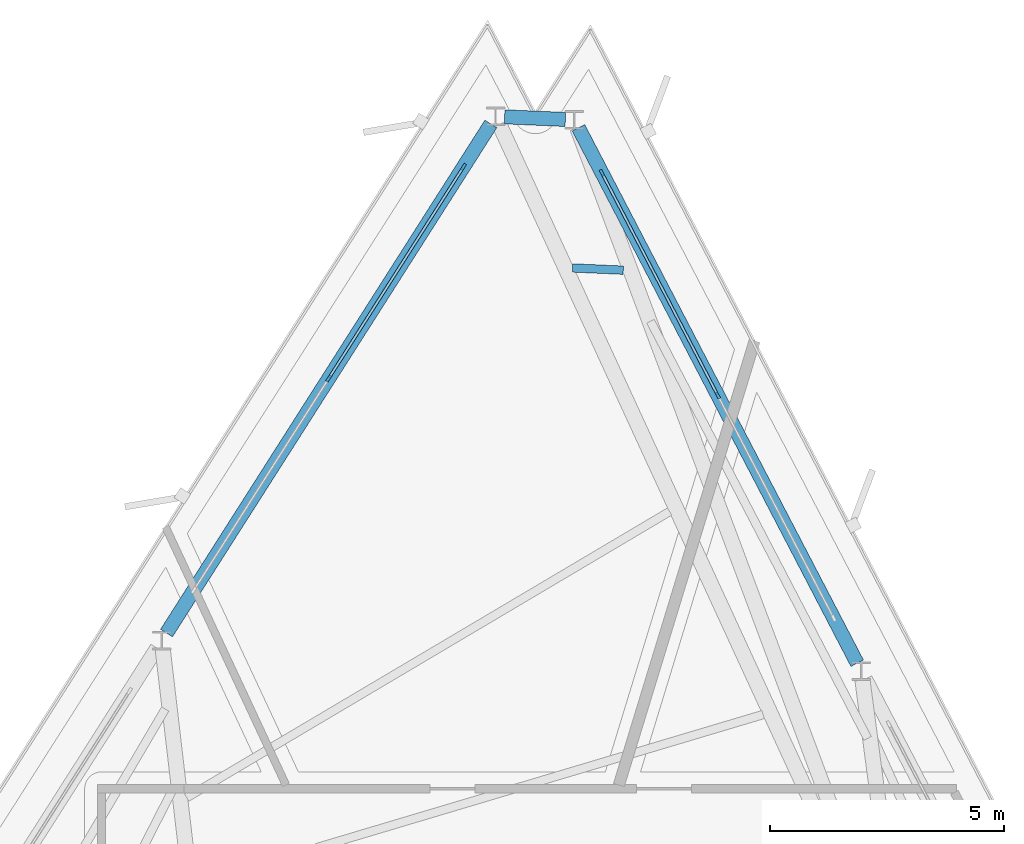
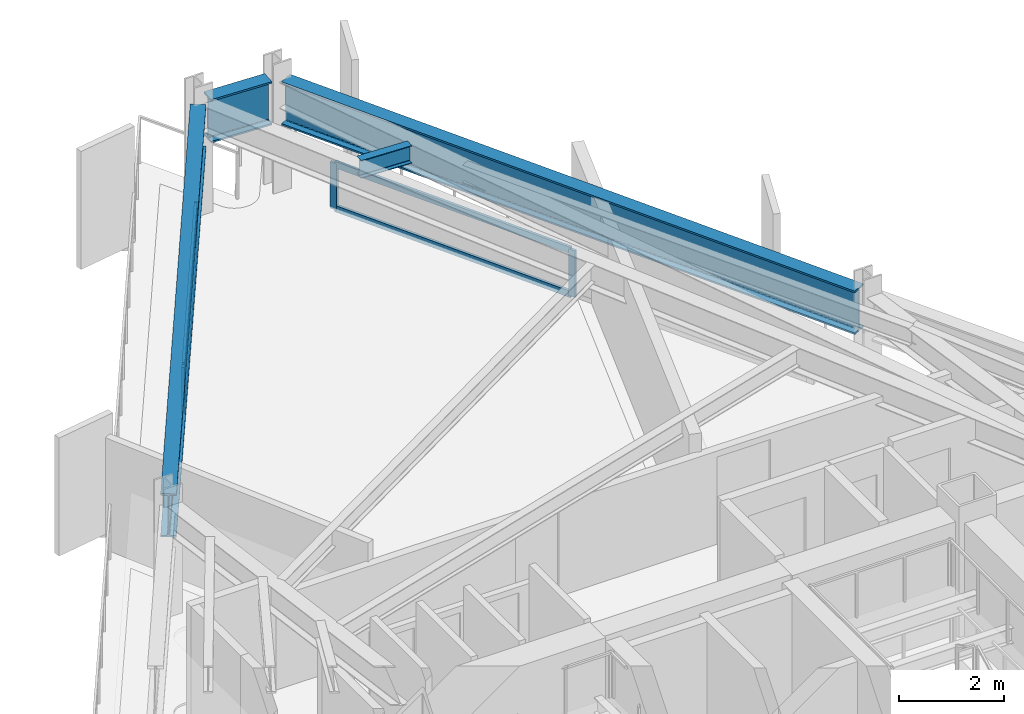
# One storey, part 6 of 12: 8 members, 4 beams, 2 elements without a shape of their own.
"""IFC4 building model written with IfcOpenShell, lengths in metres."""

from ifc_helpers import new_model, si_unit, direction, frame, origin, origin_2d, place, context, subcontext, project, spatial, rectangle, i_section, extrude, material, layer, layer_set, material_profile, profile_set, type_object, element, aggregate, save


model = new_model("IFC4")

# Units and contexts
model_context = context("Model", 3, precision=1e-05, world=origin(), true_north=direction((0.0, 1.0)))
body_context = subcontext(model_context, "Body", "Model", "MODEL_VIEW")
ifc_project = project(units=[si_unit("LENGTHUNIT", "METRE"), si_unit("AREAUNIT", "SQUARE_METRE"), si_unit("VOLUMEUNIT", "CUBIC_METRE"), si_unit("PLANEANGLEUNIT", "RADIAN"), si_unit("MASSUNIT", "GRAM", prefix="KILO")], contexts=[model_context])

# Site, building, storey
site_placement = place(None, origin())
site = spatial("IfcSite", under=ifc_project, at=site_placement, CompositionType="ELEMENT")
building_placement = place(site_placement, origin())
building = spatial("IfcBuilding", under=site, at=building_placement, Name="Rocaltana Carrier Exchange", CompositionType="ELEMENT")
storey_placement = place(building_placement, frame((0.0, 0.0, 144.159912109375)))
storey = spatial("IfcBuildingStorey", under=building, at=storey_placement, Name="L45", CompositionType="ELEMENT", Elevation=144.159912109375)

# Curtain wall, members
ifc_material_1 = material(Name="Aluminium 6063-T6", Category="aluminium")
ifc_layer = layer(ifc_material_1, 0.14990234375)
ifc_layer_set = layer_set([ifc_layer], Name="Aluminium 6063-T6")
curtain_wall_type = type_object("IfcCurtainWallType", Name="Mid-Tower Unitised Curtain Wall CW-03", PredefinedType="NOTDEFINED", material=ifc_layer_set)
curtain_wall_1_placement = place(storey_placement, origin())
curtain_wall_1 = element("IfcCurtainWall", 1, at=curtain_wall_1_placement, inside=storey, type_object=curtain_wall_type, Name="L45 CW-03 Run CW-L45-F1S3", PredefinedType="NOTDEFINED")
ifc_material_2 = material(Name="Aluminium 6063-T6", Category="aluminium")
ifc_material_profile_1 = material_profile(ifc_material_2, rectangle(XDim=0.06005859375, YDim=0.14990234375, at=origin_2d()), Name="AL-60X150")
ifc_profile_set_1 = profile_set([ifc_material_profile_1], Name="Aluminium 6063-T6")
member_type_1 = type_object("IfcMemberType", Name="CW-03 Mullion AL-60X150", PredefinedType="MULLION", material=ifc_profile_set_1)
member_1_placement = place(storey_placement, frame((4.938232421875, 17.56494140625, 0.0), z_axis=(0.0, 0.0, 1.0), x_axis=(-0.887007955385, -0.461754141383, 0.0)))
member_1 = element("IfcMember", 2, at=member_1_placement, type_object=member_type_1, Name="CW-03 mullion 2", PredefinedType="MULLION", context=body_context, shape_type="SweptSolid", body=[
    extrude(rectangle(XDim=0.06005859375, YDim=0.14990234375, at=origin_2d()), origin(), (0.0, 0.0, 1.0), 1.078125),
])
member_2_placement = place(storey_placement, frame((2.458740234375, 22.328125, 0.0), z_axis=(0.0, 0.0, 1.0), x_axis=(-0.887007955385, -0.461754141383, 0.0)))
member_2 = element("IfcMember", 3, at=member_2_placement, type_object=member_type_1, Name="CW-03 mullion 3", PredefinedType="MULLION", context=body_context, shape_type="SweptSolid", body=[
    extrude(rectangle(XDim=0.06005859375, YDim=0.14990234375, at=origin_2d()), origin(), (0.0, 0.0, 1.0), 1.078125),
])

curtain_wall_2_placement = place(storey_placement, origin())
curtain_wall_2 = element("IfcCurtainWall", 4, at=curtain_wall_2_placement, inside=storey, type_object=curtain_wall_type, Name="L45 CW-03 Run CW-L45-F2S1", PredefinedType="NOTDEFINED")
member_3_placement = place(storey_placement, frame((-0.50341796875, 22.45751953125, 0.0), z_axis=(0.0, 0.0, 1.0), x_axis=(0.843390685726, -0.537300801443, 0.0)))
member_3 = element("IfcMember", 5, at=member_3_placement, type_object=member_type_1, Name="CW-03 mullion 1", PredefinedType="MULLION", context=body_context, shape_type="SweptSolid", body=[
    extrude(rectangle(XDim=0.06005859375, YDim=0.14990234375, at=origin_2d()), origin(), (0.0, 0.0, 1.0), 1.078125),
])
member_4_placement = place(storey_placement, frame((-3.388671875, 17.928466796875, 0.0), z_axis=(0.0, 0.0, 1.0), x_axis=(0.843390685726, -0.537300801443, 0.0)))
member_4 = element("IfcMember", 6, at=member_4_placement, type_object=member_type_1, Name="CW-03 mullion 2", PredefinedType="MULLION", context=body_context, shape_type="SweptSolid", body=[
    extrude(rectangle(XDim=0.06005859375, YDim=0.14990234375, at=origin_2d()), origin(), (0.0, 0.0, 1.0), 1.078125),
])

# Member
ifc_material_3 = material(Name="Aluminium 6063-T6", Category="aluminium")
ifc_material_profile_2 = material_profile(ifc_material_3, rectangle(XDim=0.06005859375, YDim=0.14990234375, at=origin_2d()), Name="AL-60X150")
ifc_profile_set_2 = profile_set([ifc_material_profile_2], Name="Aluminium 6063-T6")
member_type_2 = type_object("IfcMemberType", Name="CW-03 Transom AL-60X150", PredefinedType="USERDEFINED", material=ifc_profile_set_2)
member_5_placement = place(storey_placement, frame((4.924560546875, 17.591552734375, 0.030029296875), z_axis=(-0.461756588365, 0.887006681543, 0.0), x_axis=(-0.887006681543, -0.461756588365, 0.0)))
member_5 = element("IfcMember", 7, at=member_5_placement, type_object=member_type_2, Name="CW-03 transom 2.1", ObjectType="TRANSOM", PredefinedType="USERDEFINED", context=body_context, shape_type="SweptSolid", body=[
    extrude(rectangle(XDim=0.06005859375, YDim=0.14990234375, at=origin_2d()), origin(), (0.0, 0.0, 1.0), 5.31005859375),
])

member_6_placement = place(storey_placement, frame((4.924560546875, 17.591552734375, 1.048095703125), z_axis=(-0.461756588365, 0.887006681543, 0.0), x_axis=(-0.887006681543, -0.461756588365, 0.0)))
member_6 = element("IfcMember", 8, at=member_6_placement, type_object=member_type_2, Name="CW-03 transom 2.2", ObjectType="TRANSOM", PredefinedType="USERDEFINED", context=body_context, shape_type="SweptSolid", body=[
    extrude(rectangle(XDim=0.06005859375, YDim=0.14990234375, at=origin_2d()), origin(), (0.0, 0.0, 1.0), 5.31005859375),
])

aggregate(curtain_wall_1, [member_1, member_2, member_5, member_6])

member_7_placement = place(storey_placement, frame((-0.51953125, 22.43212890625, 0.030029296875), z_axis=(-0.537306810176, -0.843386857698, 0.0), x_axis=(0.843386857698, -0.537306810176, 0.0)))
member_7 = element("IfcMember", 9, at=member_7_placement, type_object=member_type_2, Name="CW-03 transom 1.1", ObjectType="TRANSOM", PredefinedType="USERDEFINED", context=body_context, shape_type="SweptSolid", body=[
    extrude(rectangle(XDim=0.06005859375, YDim=0.14990234375, at=origin_2d()), origin(), (0.0, 0.0, 1.0), 5.309814453125),
])

member_8_placement = place(storey_placement, frame((-0.51953125, 22.43212890625, 1.048095703125), z_axis=(-0.537306810176, -0.843386857698, 0.0), x_axis=(0.843386857698, -0.537306810176, 0.0)))
member_8 = element("IfcMember", 10, at=member_8_placement, type_object=member_type_2, Name="CW-03 transom 1.2", ObjectType="TRANSOM", PredefinedType="USERDEFINED", context=body_context, shape_type="SweptSolid", body=[
    extrude(rectangle(XDim=0.06005859375, YDim=0.14990234375, at=origin_2d()), origin(), (0.0, 0.0, 1.0), 5.309814453125),
])

aggregate(curtain_wall_2, [member_3, member_4, member_7, member_8])

# Beams
ifc_material_4 = material(Name="Steel S355", Category="steel")
ifc_material_profile_3 = material_profile(ifc_material_4, i_section(OverallWidth=0.179931640625, OverallDepth=0.4130859375, WebThickness=0.009765625, FlangeThickness=0.01611328125, FilletRadius=0.012939453125, at=origin_2d()), Name="W16X50")
ifc_profile_set_3 = profile_set([ifc_material_profile_3], Name="Steel S355")
beam_type_1 = type_object("IfcBeamType", Name="Floor Joist W16X50", PredefinedType="JOIST", material=ifc_profile_set_3)
beam_1_placement = place(storey_placement, frame((2.915771484375, 20.24658203125, 2.41162109375), z_axis=(-0.999049362551, 0.043593247039, 0.0), x_axis=(-0.043593247039, -0.999049362551, 0.0)))
element("IfcBeam", 11, at=beam_1_placement, inside=storey, type_object=beam_type_1, Name="FJ-L45-04-3", PredefinedType="JOIST", context=body_context, shape_type="SweptSolid", body=[
    extrude(i_section(OverallWidth=0.179931640625, OverallDepth=0.4130859375, WebThickness=0.009765625, FlangeThickness=0.01611328125, FilletRadius=0.012939453125, at=origin_2d()), origin(), (0.0, 0.0, 1.0), 1.08642578125),
])
ifc_material_5 = material(Name="Steel S460", Category="steel")
ifc_material_profile_4 = material_profile(ifc_material_5, i_section(OverallWidth=0.302001953125, OverallDepth=1.008056640625, WebThickness=0.02099609375, FlangeThickness=0.0400390625, FilletRadius=0.030029296875, at=origin_2d()), Name="HEM1000")
ifc_profile_set_4 = profile_set([ifc_material_profile_4], Name="Steel S460")
beam_type_2 = type_object("IfcBeamType", Name="Transfer Ring Girder HEM1000", PredefinedType="USERDEFINED", material=ifc_profile_set_4)
beam_2_placement = place(storey_placement, frame((7.920654296875, 11.836181640625, 2.114013671875), z_axis=(-0.461760336078, 0.887004730554, 0.0), x_axis=(-0.887004730554, -0.461760336078, 0.0)))
element("IfcBeam", 12, at=beam_2_placement, inside=storey, type_object=beam_type_2, Name="SP-L45-03", ObjectType="TRANSFER GIRDER", PredefinedType="USERDEFINED", context=body_context, shape_type="SweptSolid", body=[
    extrude(i_section(OverallWidth=0.302001953125, OverallDepth=1.008056640625, WebThickness=0.02099609375, FlangeThickness=0.0400390625, FilletRadius=0.030029296875, at=origin_2d()), origin(), (0.0, 0.0, 1.0), 12.9169921875),
])
beam_3_placement = place(storey_placement, frame((1.676513671875, 23.471923828125, 2.114013671875), z_axis=(-0.999053325894, 0.043502321998, 0.0), x_axis=(-0.043502321998, -0.999053325894, 0.0)))
element("IfcBeam", 13, at=beam_3_placement, inside=storey, type_object=beam_type_2, Name="SP-L45-04", ObjectType="TRANSFER GIRDER", PredefinedType="USERDEFINED", context=body_context, shape_type="SweptSolid", body=[
    extrude(i_section(OverallWidth=0.302001953125, OverallDepth=1.008056640625, WebThickness=0.02099609375, FlangeThickness=0.0400390625, FilletRadius=0.030029296875, at=origin_2d()), origin(), (0.0, 0.0, 1.0), 1.302001953125),
])
beam_4_placement = place(storey_placement, frame((0.08154296875, 23.37548828125, 2.114013671875), z_axis=(-0.537308358117, -0.843385871531, 0.0), x_axis=(0.843385871531, -0.537308358117, 0.0)))
element("IfcBeam", 14, at=beam_4_placement, inside=storey, type_object=beam_type_2, Name="SP-L45-05", ObjectType="TRANSFER GIRDER", PredefinedType="USERDEFINED", context=body_context, shape_type="SweptSolid", body=[
    extrude(i_section(OverallWidth=0.302001953125, OverallDepth=1.008056640625, WebThickness=0.02099609375, FlangeThickness=0.0400390625, FilletRadius=0.030029296875, at=origin_2d()), origin(), (0.0, 0.0, 1.0), 12.9169921875),
])

save(model, "model.ifc")
